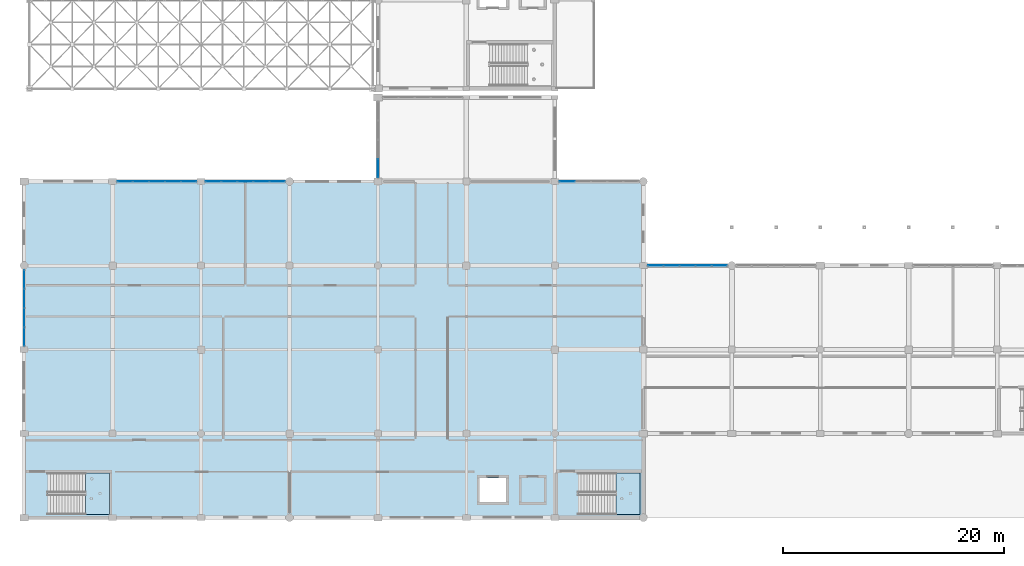
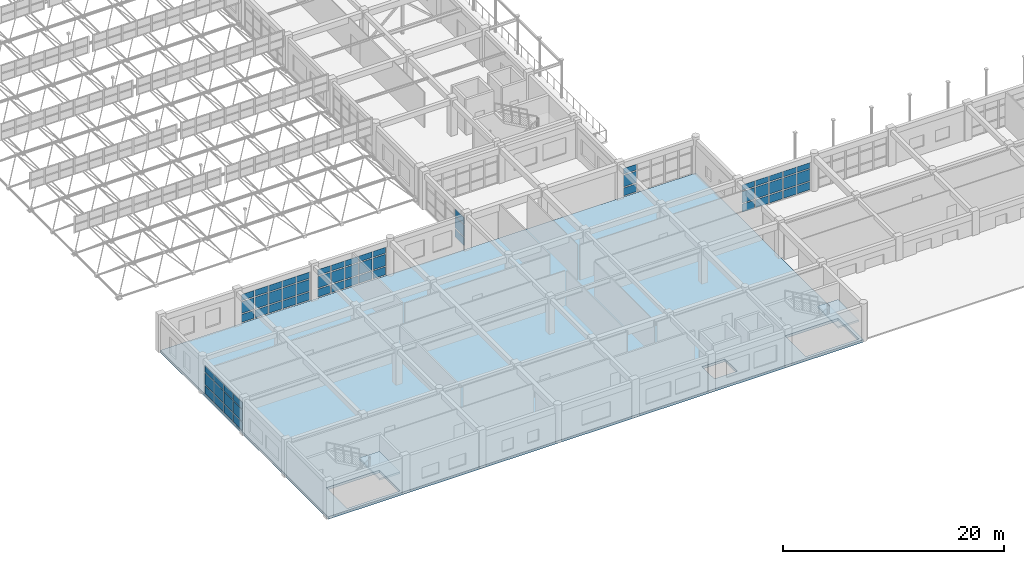
# One storey, part 142 of 195: 63 plates, 3 slabs, 8 elements without a shape of their own.
"""IFC4 building model written with IfcOpenShell, lengths in metres."""

from ifc_helpers import new_model, si_unit, direction, frame, origin, origin_2d, place, context, subcontext, project, spatial, polyline, rectangle, outline, extrude, material, layer, layer_set, type_object, element, aggregate, save


model = new_model("IFC4")

# Units and contexts
model_context = context("Model", 3, precision=1e-05, world=origin(), true_north=direction((0.0, 1.0)))
body_context = subcontext(model_context, "Body", "Model", "MODEL_VIEW")
ifc_project = project(units=[si_unit("LENGTHUNIT", "METRE"), si_unit("AREAUNIT", "SQUARE_METRE"), si_unit("VOLUMEUNIT", "CUBIC_METRE"), si_unit("PLANEANGLEUNIT", "RADIAN"), si_unit("MASSUNIT", "GRAM", prefix="KILO")], contexts=[model_context])

# Site, building, storey
site_placement = place(None, origin())
site = spatial("IfcSite", under=ifc_project, at=site_placement, CompositionType="ELEMENT")
building_placement = place(site_placement, origin())
building = spatial("IfcBuilding", under=site, at=building_placement, Name="Kharva Crest Polytechnic", CompositionType="ELEMENT")
storey_placement = place(building_placement, frame((0.0, 0.0, 9.0)))
storey = spatial("IfcBuildingStorey", under=building, at=storey_placement, Name="L02", CompositionType="ELEMENT", Elevation=9.0)

# Curtain wall, plates
ifc_material_1 = material(Name="Tempered insulated glass", Category="glass")
curtain_wall_type = type_object("IfcCurtainWallType", Name="CW-SYS-COURT", PredefinedType="USERDEFINED", material=ifc_material_1)
curtain_wall_1_placement = place(storey_placement, origin())
curtain_wall_1 = element("IfcCurtainWall", 1, at=curtain_wall_1_placement, inside=storey, type_object=curtain_wall_type, Name="L02 Glazed Curtain Wall CW-085", ObjectType="CURTAIN WALL", PredefinedType="USERDEFINED")
ifc_layer_1 = layer(ifc_material_1, 0.02392578125, Name="Tempered insulated glass")
ifc_layer_set_1 = layer_set([ifc_layer_1], Name="Tempered insulated glass")
plate_type = type_object("IfcPlateType", Name="CWP-GLZ-24", PredefinedType="CURTAIN_PANEL", material=ifc_layer_set_1)
plate_1_placement = place(storey_placement, frame((62.887939453125, 22.800048828125, 0.119873046875), z_axis=(0.0, 0.0, 1.0), x_axis=(-1.0, 0.0, 0.0)))
plate_1 = element("IfcPlate", 2, at=plate_1_placement, type_object=plate_type, Name="CW-085 panel 1.1", PredefinedType="CURTAIN_PANEL", context=body_context, shape_type="SweptSolid", body=[
    extrude(rectangle(XDim=1.333984375, YDim=0.02392578125, at=origin_2d()), origin(), (0.0, 0.0, 1.0), 0.8701171875),
])
plate_2_placement = place(storey_placement, frame((62.887939453125, 22.800048828125, 1.10986328125), z_axis=(0.0, 0.0, 1.0), x_axis=(-1.0, 0.0, 0.0)))
plate_2 = element("IfcPlate", 3, at=plate_2_placement, type_object=plate_type, Name="CW-085 panel 1.2", PredefinedType="CURTAIN_PANEL", context=body_context, shape_type="SweptSolid", body=[
    extrude(rectangle(XDim=1.333984375, YDim=0.02392578125, at=origin_2d()), origin(), (0.0, 0.0, 1.0), 1.280029296875),
])
plate_3_placement = place(storey_placement, frame((62.887939453125, 22.800048828125, 2.509765625), z_axis=(0.0, 0.0, 1.0), x_axis=(-1.0, 0.0, 0.0)))
plate_3 = element("IfcPlate", 4, at=plate_3_placement, type_object=plate_type, Name="CW-085 panel 1.3", PredefinedType="CURTAIN_PANEL", context=body_context, shape_type="SweptSolid", body=[
    extrude(rectangle(XDim=1.333984375, YDim=0.02392578125, at=origin_2d()), origin(), (0.0, 0.0, 1.0), 0.610107421875),
])
plate_4_placement = place(storey_placement, frame((61.4541015625, 22.800048828125, 0.119873046875), z_axis=(0.0, 0.0, 1.0), x_axis=(-1.0, 0.0, 0.0)))
plate_4 = element("IfcPlate", 5, at=plate_4_placement, type_object=plate_type, Name="CW-085 panel 2.1", PredefinedType="CURTAIN_PANEL", context=body_context, shape_type="SweptSolid", body=[
    extrude(rectangle(XDim=1.3740234375, YDim=0.02392578125, at=origin_2d()), origin(), (0.0, 0.0, 1.0), 0.8701171875),
])
plate_5_placement = place(storey_placement, frame((61.4541015625, 22.800048828125, 1.10986328125), z_axis=(0.0, 0.0, 1.0), x_axis=(-1.0, 0.0, 0.0)))
plate_5 = element("IfcPlate", 6, at=plate_5_placement, type_object=plate_type, Name="CW-085 panel 2.2", PredefinedType="CURTAIN_PANEL", context=body_context, shape_type="SweptSolid", body=[
    extrude(rectangle(XDim=1.3740234375, YDim=0.02392578125, at=origin_2d()), origin(), (0.0, 0.0, 1.0), 1.280029296875),
])
plate_6_placement = place(storey_placement, frame((61.4541015625, 22.800048828125, 2.509765625), z_axis=(0.0, 0.0, 1.0), x_axis=(-1.0, 0.0, 0.0)))
plate_6 = element("IfcPlate", 7, at=plate_6_placement, type_object=plate_type, Name="CW-085 panel 2.3", PredefinedType="CURTAIN_PANEL", context=body_context, shape_type="SweptSolid", body=[
    extrude(rectangle(XDim=1.3740234375, YDim=0.02392578125, at=origin_2d()), origin(), (0.0, 0.0, 1.0), 0.610107421875),
])
plate_7_placement = place(storey_placement, frame((60.0, 22.800048828125, 0.119873046875), z_axis=(0.0, 0.0, 1.0), x_axis=(-1.0, 0.0, 0.0)))
plate_7 = element("IfcPlate", 8, at=plate_7_placement, type_object=plate_type, Name="CW-085 panel 3.1", PredefinedType="CURTAIN_PANEL", context=body_context, shape_type="SweptSolid", body=[
    extrude(rectangle(XDim=1.3740234375, YDim=0.02392578125, at=origin_2d()), origin(), (0.0, 0.0, 1.0), 0.8701171875),
])
plate_8_placement = place(storey_placement, frame((60.0, 22.800048828125, 1.10986328125), z_axis=(0.0, 0.0, 1.0), x_axis=(-1.0, 0.0, 0.0)))
plate_8 = element("IfcPlate", 9, at=plate_8_placement, type_object=plate_type, Name="CW-085 panel 3.2", PredefinedType="CURTAIN_PANEL", context=body_context, shape_type="SweptSolid", body=[
    extrude(rectangle(XDim=1.3740234375, YDim=0.02392578125, at=origin_2d()), origin(), (0.0, 0.0, 1.0), 1.280029296875),
])
plate_9_placement = place(storey_placement, frame((60.0, 22.800048828125, 2.509765625), z_axis=(0.0, 0.0, 1.0), x_axis=(-1.0, 0.0, 0.0)))
plate_9 = element("IfcPlate", 10, at=plate_9_placement, type_object=plate_type, Name="CW-085 panel 3.3", PredefinedType="CURTAIN_PANEL", context=body_context, shape_type="SweptSolid", body=[
    extrude(rectangle(XDim=1.3740234375, YDim=0.02392578125, at=origin_2d()), origin(), (0.0, 0.0, 1.0), 0.610107421875),
])
plate_10_placement = place(storey_placement, frame((58.5458984375, 22.800048828125, 0.119873046875), z_axis=(0.0, 0.0, 1.0), x_axis=(-1.0, 0.0, 0.0)))
plate_10 = element("IfcPlate", 11, at=plate_10_placement, type_object=plate_type, Name="CW-085 panel 4.1", PredefinedType="CURTAIN_PANEL", context=body_context, shape_type="SweptSolid", body=[
    extrude(rectangle(XDim=1.3740234375, YDim=0.02392578125, at=origin_2d()), origin(), (0.0, 0.0, 1.0), 0.8701171875),
])
plate_11_placement = place(storey_placement, frame((58.5458984375, 22.800048828125, 1.10986328125), z_axis=(0.0, 0.0, 1.0), x_axis=(-1.0, 0.0, 0.0)))
plate_11 = element("IfcPlate", 12, at=plate_11_placement, type_object=plate_type, Name="CW-085 panel 4.2", PredefinedType="CURTAIN_PANEL", context=body_context, shape_type="SweptSolid", body=[
    extrude(rectangle(XDim=1.3740234375, YDim=0.02392578125, at=origin_2d()), origin(), (0.0, 0.0, 1.0), 1.280029296875),
])
plate_12_placement = place(storey_placement, frame((58.5458984375, 22.800048828125, 2.509765625), z_axis=(0.0, 0.0, 1.0), x_axis=(-1.0, 0.0, 0.0)))
plate_12 = element("IfcPlate", 13, at=plate_12_placement, type_object=plate_type, Name="CW-085 panel 4.3", PredefinedType="CURTAIN_PANEL", context=body_context, shape_type="SweptSolid", body=[
    extrude(rectangle(XDim=1.3740234375, YDim=0.02392578125, at=origin_2d()), origin(), (0.0, 0.0, 1.0), 0.610107421875),
])
plate_13_placement = place(storey_placement, frame((57.112060546875, 22.800048828125, 0.119873046875), z_axis=(0.0, 0.0, 1.0), x_axis=(-1.0, 0.0, 0.0)))
plate_13 = element("IfcPlate", 14, at=plate_13_placement, type_object=plate_type, Name="CW-085 panel 5.1", PredefinedType="CURTAIN_PANEL", context=body_context, shape_type="SweptSolid", body=[
    extrude(rectangle(XDim=1.333984375, YDim=0.02392578125, at=origin_2d()), origin(), (0.0, 0.0, 1.0), 0.8701171875),
])
plate_14_placement = place(storey_placement, frame((57.112060546875, 22.800048828125, 1.10986328125), z_axis=(0.0, 0.0, 1.0), x_axis=(-1.0, 0.0, 0.0)))
plate_14 = element("IfcPlate", 15, at=plate_14_placement, type_object=plate_type, Name="CW-085 panel 5.2", PredefinedType="CURTAIN_PANEL", context=body_context, shape_type="SweptSolid", body=[
    extrude(rectangle(XDim=1.333984375, YDim=0.02392578125, at=origin_2d()), origin(), (0.0, 0.0, 1.0), 1.280029296875),
])
plate_15_placement = place(storey_placement, frame((57.112060546875, 22.800048828125, 2.509765625), z_axis=(0.0, 0.0, 1.0), x_axis=(-1.0, 0.0, 0.0)))
plate_15 = element("IfcPlate", 16, at=plate_15_placement, type_object=plate_type, Name="CW-085 panel 5.3", PredefinedType="CURTAIN_PANEL", context=body_context, shape_type="SweptSolid", body=[
    extrude(rectangle(XDim=1.333984375, YDim=0.02392578125, at=origin_2d()), origin(), (0.0, 0.0, 1.0), 0.610107421875),
])
aggregate(curtain_wall_1, [plate_1, plate_2, plate_3, plate_4, plate_5, plate_6, plate_7, plate_8, plate_9, plate_10, plate_11, plate_12, plate_13, plate_14, plate_15])

curtain_wall_2_placement = place(storey_placement, origin())
curtain_wall_2 = element("IfcCurtainWall", 17, at=curtain_wall_2_placement, inside=storey, type_object=curtain_wall_type, Name="L02 Glazed Curtain Wall CW-086", ObjectType="CURTAIN WALL", PredefinedType="USERDEFINED")
plate_16_placement = place(storey_placement, frame((49.112060546875, 30.39990234375, 0.119873046875), z_axis=(0.0, 0.0, 1.0), x_axis=(-1.0, 0.0, 0.0)))
plate_16 = element("IfcPlate", 18, at=plate_16_placement, type_object=plate_type, Name="CW-086 panel 5.1", PredefinedType="CURTAIN_PANEL", context=body_context, shape_type="SweptSolid", body=[
    extrude(rectangle(XDim=1.333984375, YDim=0.02392578125, at=origin_2d()), origin(), (0.0, 0.0, 1.0), 0.8701171875),
])
plate_17_placement = place(storey_placement, frame((49.112060546875, 30.39990234375, 1.10986328125), z_axis=(0.0, 0.0, 1.0), x_axis=(-1.0, 0.0, 0.0)))
plate_17 = element("IfcPlate", 19, at=plate_17_placement, type_object=plate_type, Name="CW-086 panel 5.2", PredefinedType="CURTAIN_PANEL", context=body_context, shape_type="SweptSolid", body=[
    extrude(rectangle(XDim=1.333984375, YDim=0.02392578125, at=origin_2d()), origin(), (0.0, 0.0, 1.0), 1.280029296875),
])
plate_18_placement = place(storey_placement, frame((49.112060546875, 30.39990234375, 2.51025390625), z_axis=(0.0, 0.0, 1.0), x_axis=(-1.0, 0.0, 0.0)))
plate_18 = element("IfcPlate", 20, at=plate_18_placement, type_object=plate_type, Name="CW-086 panel 5.3", PredefinedType="CURTAIN_PANEL", context=body_context, shape_type="SweptSolid", body=[
    extrude(rectangle(XDim=1.333984375, YDim=0.02392578125, at=origin_2d()), origin(), (0.0, 0.0, 1.0), 0.639892578125),
])
aggregate(curtain_wall_2, [plate_16, plate_17, plate_18])

curtain_wall_3_placement = place(storey_placement, origin())
curtain_wall_3 = element("IfcCurtainWall", 21, at=curtain_wall_3_placement, inside=storey, type_object=curtain_wall_type, Name="L02 Glazed Curtain Wall CW-088", ObjectType="CURTAIN WALL", PredefinedType="USERDEFINED")
plate_19_placement = place(storey_placement, frame((32.0, 31.595703125, 0.119873046875), z_axis=(0.0, 0.0, 1.0), x_axis=(0.0, -1.0, 0.0)))
plate_19 = element("IfcPlate", 22, at=plate_19_placement, type_object=plate_type, Name="CW-088 panel 4.1", PredefinedType="CURTAIN_PANEL", context=body_context, shape_type="SweptSolid", body=[
    extrude(rectangle(XDim=1.621337890625, YDim=0.02392578125, at=origin_2d()), origin(), (0.0, 0.0, 1.0), 0.8701171875),
])
plate_20_placement = place(storey_placement, frame((32.0, 31.595703125, 1.10986328125), z_axis=(0.0, 0.0, 1.0), x_axis=(0.0, -1.0, 0.0)))
plate_20 = element("IfcPlate", 23, at=plate_20_placement, type_object=plate_type, Name="CW-088 panel 4.2", PredefinedType="CURTAIN_PANEL", context=body_context, shape_type="SweptSolid", body=[
    extrude(rectangle(XDim=1.621337890625, YDim=0.02392578125, at=origin_2d()), origin(), (0.0, 0.0, 1.0), 1.280029296875),
])
plate_21_placement = place(storey_placement, frame((32.0, 31.595703125, 2.510009765625), z_axis=(0.0, 0.0, 1.0), x_axis=(0.0, -1.0, 0.0)))
plate_21 = element("IfcPlate", 24, at=plate_21_placement, type_object=plate_type, Name="CW-088 panel 4.3", PredefinedType="CURTAIN_PANEL", context=body_context, shape_type="SweptSolid", body=[
    extrude(rectangle(XDim=1.621337890625, YDim=0.02392578125, at=origin_2d()), origin(), (0.0, 0.0, 1.0), 0.7099609375),
])
aggregate(curtain_wall_3, [plate_19, plate_20, plate_21])

curtain_wall_4_placement = place(storey_placement, origin())
curtain_wall_4 = element("IfcCurtainWall", 25, at=curtain_wall_4_placement, inside=storey, type_object=curtain_wall_type, Name="L02 Glazed Curtain Wall CW-089", ObjectType="CURTAIN WALL", PredefinedType="USERDEFINED")
plate_22_placement = place(storey_placement, frame((22.887939453125, 30.39990234375, 0.119873046875), z_axis=(0.0, 0.0, 1.0), x_axis=(-1.0, 0.0, 0.0)))
plate_22 = element("IfcPlate", 26, at=plate_22_placement, type_object=plate_type, Name="CW-089 panel 1.1", PredefinedType="CURTAIN_PANEL", context=body_context, shape_type="SweptSolid", body=[
    extrude(rectangle(XDim=1.333984375, YDim=0.02392578125, at=origin_2d()), origin(), (0.0, 0.0, 1.0), 0.8701171875),
])
plate_23_placement = place(storey_placement, frame((22.887939453125, 30.39990234375, 1.10986328125), z_axis=(0.0, 0.0, 1.0), x_axis=(-1.0, 0.0, 0.0)))
plate_23 = element("IfcPlate", 27, at=plate_23_placement, type_object=plate_type, Name="CW-089 panel 1.2", PredefinedType="CURTAIN_PANEL", context=body_context, shape_type="SweptSolid", body=[
    extrude(rectangle(XDim=1.333984375, YDim=0.02392578125, at=origin_2d()), origin(), (0.0, 0.0, 1.0), 1.280029296875),
])
plate_24_placement = place(storey_placement, frame((22.887939453125, 30.39990234375, 2.51025390625), z_axis=(0.0, 0.0, 1.0), x_axis=(-1.0, 0.0, 0.0)))
plate_24 = element("IfcPlate", 28, at=plate_24_placement, type_object=plate_type, Name="CW-089 panel 1.3", PredefinedType="CURTAIN_PANEL", context=body_context, shape_type="SweptSolid", body=[
    extrude(rectangle(XDim=1.333984375, YDim=0.02392578125, at=origin_2d()), origin(), (0.0, 0.0, 1.0), 0.639892578125),
])
plate_25_placement = place(storey_placement, frame((21.4541015625, 30.39990234375, 0.119873046875), z_axis=(0.0, 0.0, 1.0), x_axis=(-1.0, 0.0, 0.0)))
plate_25 = element("IfcPlate", 29, at=plate_25_placement, type_object=plate_type, Name="CW-089 panel 2.1", PredefinedType="CURTAIN_PANEL", context=body_context, shape_type="SweptSolid", body=[
    extrude(rectangle(XDim=1.3740234375, YDim=0.02392578125, at=origin_2d()), origin(), (0.0, 0.0, 1.0), 0.8701171875),
])
plate_26_placement = place(storey_placement, frame((21.4541015625, 30.39990234375, 1.10986328125), z_axis=(0.0, 0.0, 1.0), x_axis=(-1.0, 0.0, 0.0)))
plate_26 = element("IfcPlate", 30, at=plate_26_placement, type_object=plate_type, Name="CW-089 panel 2.2", PredefinedType="CURTAIN_PANEL", context=body_context, shape_type="SweptSolid", body=[
    extrude(rectangle(XDim=1.3740234375, YDim=0.02392578125, at=origin_2d()), origin(), (0.0, 0.0, 1.0), 1.280029296875),
])
plate_27_placement = place(storey_placement, frame((21.4541015625, 30.39990234375, 2.51025390625), z_axis=(0.0, 0.0, 1.0), x_axis=(-1.0, 0.0, 0.0)))
plate_27 = element("IfcPlate", 31, at=plate_27_placement, type_object=plate_type, Name="CW-089 panel 2.3", PredefinedType="CURTAIN_PANEL", context=body_context, shape_type="SweptSolid", body=[
    extrude(rectangle(XDim=1.3740234375, YDim=0.02392578125, at=origin_2d()), origin(), (0.0, 0.0, 1.0), 0.639892578125),
])
plate_28_placement = place(storey_placement, frame((20.0, 30.39990234375, 0.119873046875), z_axis=(0.0, 0.0, 1.0), x_axis=(-1.0, 0.0, 0.0)))
plate_28 = element("IfcPlate", 32, at=plate_28_placement, type_object=plate_type, Name="CW-089 panel 3.1", PredefinedType="CURTAIN_PANEL", context=body_context, shape_type="SweptSolid", body=[
    extrude(rectangle(XDim=1.3740234375, YDim=0.02392578125, at=origin_2d()), origin(), (0.0, 0.0, 1.0), 0.8701171875),
])
plate_29_placement = place(storey_placement, frame((20.0, 30.39990234375, 1.10986328125), z_axis=(0.0, 0.0, 1.0), x_axis=(-1.0, 0.0, 0.0)))
plate_29 = element("IfcPlate", 33, at=plate_29_placement, type_object=plate_type, Name="CW-089 panel 3.2", PredefinedType="CURTAIN_PANEL", context=body_context, shape_type="SweptSolid", body=[
    extrude(rectangle(XDim=1.3740234375, YDim=0.02392578125, at=origin_2d()), origin(), (0.0, 0.0, 1.0), 1.280029296875),
])
plate_30_placement = place(storey_placement, frame((20.0, 30.39990234375, 2.51025390625), z_axis=(0.0, 0.0, 1.0), x_axis=(-1.0, 0.0, 0.0)))
plate_30 = element("IfcPlate", 34, at=plate_30_placement, type_object=plate_type, Name="CW-089 panel 3.3", PredefinedType="CURTAIN_PANEL", context=body_context, shape_type="SweptSolid", body=[
    extrude(rectangle(XDim=1.3740234375, YDim=0.02392578125, at=origin_2d()), origin(), (0.0, 0.0, 1.0), 0.639892578125),
])
plate_31_placement = place(storey_placement, frame((18.5458984375, 30.39990234375, 0.119873046875), z_axis=(0.0, 0.0, 1.0), x_axis=(-1.0, 0.0, 0.0)))
plate_31 = element("IfcPlate", 35, at=plate_31_placement, type_object=plate_type, Name="CW-089 panel 4.1", PredefinedType="CURTAIN_PANEL", context=body_context, shape_type="SweptSolid", body=[
    extrude(rectangle(XDim=1.3740234375, YDim=0.02392578125, at=origin_2d()), origin(), (0.0, 0.0, 1.0), 0.8701171875),
])
plate_32_placement = place(storey_placement, frame((18.5458984375, 30.39990234375, 1.10986328125), z_axis=(0.0, 0.0, 1.0), x_axis=(-1.0, 0.0, 0.0)))
plate_32 = element("IfcPlate", 36, at=plate_32_placement, type_object=plate_type, Name="CW-089 panel 4.2", PredefinedType="CURTAIN_PANEL", context=body_context, shape_type="SweptSolid", body=[
    extrude(rectangle(XDim=1.3740234375, YDim=0.02392578125, at=origin_2d()), origin(), (0.0, 0.0, 1.0), 1.280029296875),
])
plate_33_placement = place(storey_placement, frame((18.5458984375, 30.39990234375, 2.51025390625), z_axis=(0.0, 0.0, 1.0), x_axis=(-1.0, 0.0, 0.0)))
plate_33 = element("IfcPlate", 37, at=plate_33_placement, type_object=plate_type, Name="CW-089 panel 4.3", PredefinedType="CURTAIN_PANEL", context=body_context, shape_type="SweptSolid", body=[
    extrude(rectangle(XDim=1.3740234375, YDim=0.02392578125, at=origin_2d()), origin(), (0.0, 0.0, 1.0), 0.639892578125),
])
plate_34_placement = place(storey_placement, frame((17.112060546875, 30.39990234375, 0.119873046875), z_axis=(0.0, 0.0, 1.0), x_axis=(-1.0, 0.0, 0.0)))
plate_34 = element("IfcPlate", 38, at=plate_34_placement, type_object=plate_type, Name="CW-089 panel 5.1", PredefinedType="CURTAIN_PANEL", context=body_context, shape_type="SweptSolid", body=[
    extrude(rectangle(XDim=1.333984375, YDim=0.02392578125, at=origin_2d()), origin(), (0.0, 0.0, 1.0), 0.8701171875),
])
plate_35_placement = place(storey_placement, frame((17.112060546875, 30.39990234375, 1.10986328125), z_axis=(0.0, 0.0, 1.0), x_axis=(-1.0, 0.0, 0.0)))
plate_35 = element("IfcPlate", 39, at=plate_35_placement, type_object=plate_type, Name="CW-089 panel 5.2", PredefinedType="CURTAIN_PANEL", context=body_context, shape_type="SweptSolid", body=[
    extrude(rectangle(XDim=1.333984375, YDim=0.02392578125, at=origin_2d()), origin(), (0.0, 0.0, 1.0), 1.280029296875),
])
plate_36_placement = place(storey_placement, frame((17.112060546875, 30.39990234375, 2.51025390625), z_axis=(0.0, 0.0, 1.0), x_axis=(-1.0, 0.0, 0.0)))
plate_36 = element("IfcPlate", 40, at=plate_36_placement, type_object=plate_type, Name="CW-089 panel 5.3", PredefinedType="CURTAIN_PANEL", context=body_context, shape_type="SweptSolid", body=[
    extrude(rectangle(XDim=1.333984375, YDim=0.02392578125, at=origin_2d()), origin(), (0.0, 0.0, 1.0), 0.639892578125),
])
aggregate(curtain_wall_4, [plate_22, plate_23, plate_24, plate_25, plate_26, plate_27, plate_28, plate_29, plate_30, plate_31, plate_32, plate_33, plate_34, plate_35, plate_36])

curtain_wall_5_placement = place(storey_placement, origin())
curtain_wall_5 = element("IfcCurtainWall", 41, at=curtain_wall_5_placement, inside=storey, type_object=curtain_wall_type, Name="L02 Glazed Curtain Wall CW-090", ObjectType="CURTAIN WALL", PredefinedType="USERDEFINED")
plate_37_placement = place(storey_placement, frame((14.889404296875, 30.39990234375, 0.119873046875), z_axis=(0.0, 0.0, 1.0), x_axis=(-1.0, 0.0, 0.0)))
plate_37 = element("IfcPlate", 42, at=plate_37_placement, type_object=plate_type, Name="CW-090 panel 1.1", PredefinedType="CURTAIN_PANEL", context=body_context, shape_type="SweptSolid", body=[
    extrude(rectangle(XDim=1.3310546875, YDim=0.02392578125, at=origin_2d()), origin(), (0.0, 0.0, 1.0), 0.8701171875),
])
plate_38_placement = place(storey_placement, frame((14.889404296875, 30.39990234375, 1.10986328125), z_axis=(0.0, 0.0, 1.0), x_axis=(-1.0, 0.0, 0.0)))
plate_38 = element("IfcPlate", 43, at=plate_38_placement, type_object=plate_type, Name="CW-090 panel 1.2", PredefinedType="CURTAIN_PANEL", context=body_context, shape_type="SweptSolid", body=[
    extrude(rectangle(XDim=1.3310546875, YDim=0.02392578125, at=origin_2d()), origin(), (0.0, 0.0, 1.0), 1.280029296875),
])
plate_39_placement = place(storey_placement, frame((14.889404296875, 30.39990234375, 2.510009765625), z_axis=(0.0, 0.0, 1.0), x_axis=(-1.0, 0.0, 0.0)))
plate_39 = element("IfcPlate", 44, at=plate_39_placement, type_object=plate_type, Name="CW-090 panel 1.3", PredefinedType="CURTAIN_PANEL", context=body_context, shape_type="SweptSolid", body=[
    extrude(rectangle(XDim=1.3310546875, YDim=0.02392578125, at=origin_2d()), origin(), (0.0, 0.0, 1.0), 0.68994140625),
])
plate_40_placement = place(storey_placement, frame((13.45849609375, 30.39990234375, 0.119873046875), z_axis=(0.0, 0.0, 1.0), x_axis=(-1.0, 0.0, 0.0)))
plate_40 = element("IfcPlate", 45, at=plate_40_placement, type_object=plate_type, Name="CW-090 panel 2.1", PredefinedType="CURTAIN_PANEL", context=body_context, shape_type="SweptSolid", body=[
    extrude(rectangle(XDim=1.37109375, YDim=0.02392578125, at=origin_2d()), origin(), (0.0, 0.0, 1.0), 0.8701171875),
])
plate_41_placement = place(storey_placement, frame((13.45849609375, 30.39990234375, 1.10986328125), z_axis=(0.0, 0.0, 1.0), x_axis=(-1.0, 0.0, 0.0)))
plate_41 = element("IfcPlate", 46, at=plate_41_placement, type_object=plate_type, Name="CW-090 panel 2.2", PredefinedType="CURTAIN_PANEL", context=body_context, shape_type="SweptSolid", body=[
    extrude(rectangle(XDim=1.37109375, YDim=0.02392578125, at=origin_2d()), origin(), (0.0, 0.0, 1.0), 1.280029296875),
])
plate_42_placement = place(storey_placement, frame((13.45849609375, 30.39990234375, 2.510009765625), z_axis=(0.0, 0.0, 1.0), x_axis=(-1.0, 0.0, 0.0)))
plate_42 = element("IfcPlate", 47, at=plate_42_placement, type_object=plate_type, Name="CW-090 panel 2.3", PredefinedType="CURTAIN_PANEL", context=body_context, shape_type="SweptSolid", body=[
    extrude(rectangle(XDim=1.37109375, YDim=0.02392578125, at=origin_2d()), origin(), (0.0, 0.0, 1.0), 0.68994140625),
])
plate_43_placement = place(storey_placement, frame((12.007568359375, 30.39990234375, 0.119873046875), z_axis=(0.0, 0.0, 1.0), x_axis=(-1.0, 0.0, 0.0)))
plate_43 = element("IfcPlate", 48, at=plate_43_placement, type_object=plate_type, Name="CW-090 panel 3.1", PredefinedType="CURTAIN_PANEL", context=body_context, shape_type="SweptSolid", body=[
    extrude(rectangle(XDim=1.37109375, YDim=0.02392578125, at=origin_2d()), origin(), (0.0, 0.0, 1.0), 0.8701171875),
])
plate_44_placement = place(storey_placement, frame((12.007568359375, 30.39990234375, 1.10986328125), z_axis=(0.0, 0.0, 1.0), x_axis=(-1.0, 0.0, 0.0)))
plate_44 = element("IfcPlate", 49, at=plate_44_placement, type_object=plate_type, Name="CW-090 panel 3.2", PredefinedType="CURTAIN_PANEL", context=body_context, shape_type="SweptSolid", body=[
    extrude(rectangle(XDim=1.37109375, YDim=0.02392578125, at=origin_2d()), origin(), (0.0, 0.0, 1.0), 1.280029296875),
])
plate_45_placement = place(storey_placement, frame((12.007568359375, 30.39990234375, 2.510009765625), z_axis=(0.0, 0.0, 1.0), x_axis=(-1.0, 0.0, 0.0)))
plate_45 = element("IfcPlate", 50, at=plate_45_placement, type_object=plate_type, Name="CW-090 panel 3.3", PredefinedType="CURTAIN_PANEL", context=body_context, shape_type="SweptSolid", body=[
    extrude(rectangle(XDim=1.37109375, YDim=0.02392578125, at=origin_2d()), origin(), (0.0, 0.0, 1.0), 0.68994140625),
])
plate_46_placement = place(storey_placement, frame((10.556396484375, 30.39990234375, 0.119873046875), z_axis=(0.0, 0.0, 1.0), x_axis=(-1.0, 0.0, 0.0)))
plate_46 = element("IfcPlate", 51, at=plate_46_placement, type_object=plate_type, Name="CW-090 panel 4.1", PredefinedType="CURTAIN_PANEL", context=body_context, shape_type="SweptSolid", body=[
    extrude(rectangle(XDim=1.37109375, YDim=0.02392578125, at=origin_2d()), origin(), (0.0, 0.0, 1.0), 0.8701171875),
])
plate_47_placement = place(storey_placement, frame((10.556396484375, 30.39990234375, 1.10986328125), z_axis=(0.0, 0.0, 1.0), x_axis=(-1.0, 0.0, 0.0)))
plate_47 = element("IfcPlate", 52, at=plate_47_placement, type_object=plate_type, Name="CW-090 panel 4.2", PredefinedType="CURTAIN_PANEL", context=body_context, shape_type="SweptSolid", body=[
    extrude(rectangle(XDim=1.37109375, YDim=0.02392578125, at=origin_2d()), origin(), (0.0, 0.0, 1.0), 1.280029296875),
])
plate_48_placement = place(storey_placement, frame((10.556396484375, 30.39990234375, 2.510009765625), z_axis=(0.0, 0.0, 1.0), x_axis=(-1.0, 0.0, 0.0)))
plate_48 = element("IfcPlate", 53, at=plate_48_placement, type_object=plate_type, Name="CW-090 panel 4.3", PredefinedType="CURTAIN_PANEL", context=body_context, shape_type="SweptSolid", body=[
    extrude(rectangle(XDim=1.37109375, YDim=0.02392578125, at=origin_2d()), origin(), (0.0, 0.0, 1.0), 0.68994140625),
])
plate_49_placement = place(storey_placement, frame((9.12548828125, 30.39990234375, 0.119873046875), z_axis=(0.0, 0.0, 1.0), x_axis=(-1.0, 0.0, 0.0)))
plate_49 = element("IfcPlate", 54, at=plate_49_placement, type_object=plate_type, Name="CW-090 panel 5.1", PredefinedType="CURTAIN_PANEL", context=body_context, shape_type="SweptSolid", body=[
    extrude(rectangle(XDim=1.3310546875, YDim=0.02392578125, at=origin_2d()), origin(), (0.0, 0.0, 1.0), 0.8701171875),
])
plate_50_placement = place(storey_placement, frame((9.12548828125, 30.39990234375, 1.10986328125), z_axis=(0.0, 0.0, 1.0), x_axis=(-1.0, 0.0, 0.0)))
plate_50 = element("IfcPlate", 55, at=plate_50_placement, type_object=plate_type, Name="CW-090 panel 5.2", PredefinedType="CURTAIN_PANEL", context=body_context, shape_type="SweptSolid", body=[
    extrude(rectangle(XDim=1.3310546875, YDim=0.02392578125, at=origin_2d()), origin(), (0.0, 0.0, 1.0), 1.280029296875),
])
plate_51_placement = place(storey_placement, frame((9.12548828125, 30.39990234375, 2.510009765625), z_axis=(0.0, 0.0, 1.0), x_axis=(-1.0, 0.0, 0.0)))
plate_51 = element("IfcPlate", 56, at=plate_51_placement, type_object=plate_type, Name="CW-090 panel 5.3", PredefinedType="CURTAIN_PANEL", context=body_context, shape_type="SweptSolid", body=[
    extrude(rectangle(XDim=1.3310546875, YDim=0.02392578125, at=origin_2d()), origin(), (0.0, 0.0, 1.0), 0.68994140625),
])
aggregate(curtain_wall_5, [plate_37, plate_38, plate_39, plate_40, plate_41, plate_42, plate_43, plate_44, plate_45, plate_46, plate_47, plate_48, plate_49, plate_50, plate_51])

curtain_wall_6_placement = place(storey_placement, origin())
curtain_wall_6 = element("IfcCurtainWall", 57, at=curtain_wall_6_placement, inside=storey, type_object=curtain_wall_type, Name="L02 Glazed Curtain Wall CW-091", ObjectType="CURTAIN WALL", PredefinedType="USERDEFINED")
plate_52_placement = place(storey_placement, frame((0.0, 21.545654296875, 0.119873046875), z_axis=(0.0, 0.0, 1.0), x_axis=(0.0, -1.0, 0.0)))
plate_52 = element("IfcPlate", 58, at=plate_52_placement, type_object=plate_type, Name="CW-091 panel 1.1", PredefinedType="CURTAIN_PANEL", context=body_context, shape_type="SweptSolid", body=[
    extrude(rectangle(XDim=1.61865234375, YDim=0.02392578125, at=origin_2d()), origin(), (0.0, 0.0, 1.0), 0.8701171875),
])
plate_53_placement = place(storey_placement, frame((0.0, 21.545654296875, 1.10986328125), z_axis=(0.0, 0.0, 1.0), x_axis=(0.0, -1.0, 0.0)))
plate_53 = element("IfcPlate", 59, at=plate_53_placement, type_object=plate_type, Name="CW-091 panel 1.2", PredefinedType="CURTAIN_PANEL", context=body_context, shape_type="SweptSolid", body=[
    extrude(rectangle(XDim=1.61865234375, YDim=0.02392578125, at=origin_2d()), origin(), (0.0, 0.0, 1.0), 1.280029296875),
])
plate_54_placement = place(storey_placement, frame((0.0, 21.545654296875, 2.510009765625), z_axis=(0.0, 0.0, 1.0), x_axis=(0.0, -1.0, 0.0)))
plate_54 = element("IfcPlate", 60, at=plate_54_placement, type_object=plate_type, Name="CW-091 panel 1.3", PredefinedType="CURTAIN_PANEL", context=body_context, shape_type="SweptSolid", body=[
    extrude(rectangle(XDim=1.61865234375, YDim=0.02392578125, at=origin_2d()), origin(), (0.0, 0.0, 1.0), 0.7099609375),
])
plate_55_placement = place(storey_placement, frame((0.0, 19.826904296875, 0.119873046875), z_axis=(0.0, 0.0, 1.0), x_axis=(0.0, -1.0, 0.0)))
plate_55 = element("IfcPlate", 61, at=plate_55_placement, type_object=plate_type, Name="CW-091 panel 2.1", PredefinedType="CURTAIN_PANEL", context=body_context, shape_type="SweptSolid", body=[
    extrude(rectangle(XDim=1.65869140625, YDim=0.02392578125, at=origin_2d()), origin(), (0.0, 0.0, 1.0), 0.8701171875),
])
plate_56_placement = place(storey_placement, frame((0.0, 19.826904296875, 1.10986328125), z_axis=(0.0, 0.0, 1.0), x_axis=(0.0, -1.0, 0.0)))
plate_56 = element("IfcPlate", 62, at=plate_56_placement, type_object=plate_type, Name="CW-091 panel 2.2", PredefinedType="CURTAIN_PANEL", context=body_context, shape_type="SweptSolid", body=[
    extrude(rectangle(XDim=1.65869140625, YDim=0.02392578125, at=origin_2d()), origin(), (0.0, 0.0, 1.0), 1.280029296875),
])
plate_57_placement = place(storey_placement, frame((0.0, 19.826904296875, 2.510009765625), z_axis=(0.0, 0.0, 1.0), x_axis=(0.0, -1.0, 0.0)))
plate_57 = element("IfcPlate", 63, at=plate_57_placement, type_object=plate_type, Name="CW-091 panel 2.3", PredefinedType="CURTAIN_PANEL", context=body_context, shape_type="SweptSolid", body=[
    extrude(rectangle(XDim=1.65869140625, YDim=0.02392578125, at=origin_2d()), origin(), (0.0, 0.0, 1.0), 0.7099609375),
])
plate_58_placement = place(storey_placement, frame((0.0, 18.088134765625, 0.119873046875), z_axis=(0.0, 0.0, 1.0), x_axis=(0.0, -1.0, 0.0)))
plate_58 = element("IfcPlate", 64, at=plate_58_placement, type_object=plate_type, Name="CW-091 panel 3.1", PredefinedType="CURTAIN_PANEL", context=body_context, shape_type="SweptSolid", body=[
    extrude(rectangle(XDim=1.65869140625, YDim=0.02392578125, at=origin_2d()), origin(), (0.0, 0.0, 1.0), 0.8701171875),
])
plate_59_placement = place(storey_placement, frame((0.0, 18.088134765625, 1.10986328125), z_axis=(0.0, 0.0, 1.0), x_axis=(0.0, -1.0, 0.0)))
plate_59 = element("IfcPlate", 65, at=plate_59_placement, type_object=plate_type, Name="CW-091 panel 3.2", PredefinedType="CURTAIN_PANEL", context=body_context, shape_type="SweptSolid", body=[
    extrude(rectangle(XDim=1.65869140625, YDim=0.02392578125, at=origin_2d()), origin(), (0.0, 0.0, 1.0), 1.280029296875),
])
plate_60_placement = place(storey_placement, frame((0.0, 18.088134765625, 2.510009765625), z_axis=(0.0, 0.0, 1.0), x_axis=(0.0, -1.0, 0.0)))
plate_60 = element("IfcPlate", 66, at=plate_60_placement, type_object=plate_type, Name="CW-091 panel 3.3", PredefinedType="CURTAIN_PANEL", context=body_context, shape_type="SweptSolid", body=[
    extrude(rectangle(XDim=1.65869140625, YDim=0.02392578125, at=origin_2d()), origin(), (0.0, 0.0, 1.0), 0.7099609375),
])
plate_61_placement = place(storey_placement, frame((0.0, 16.369384765625, 0.119873046875), z_axis=(0.0, 0.0, 1.0), x_axis=(0.0, -1.0, 0.0)))
plate_61 = element("IfcPlate", 67, at=plate_61_placement, type_object=plate_type, Name="CW-091 panel 4.1", PredefinedType="CURTAIN_PANEL", context=body_context, shape_type="SweptSolid", body=[
    extrude(rectangle(XDim=1.61865234375, YDim=0.02392578125, at=origin_2d()), origin(), (0.0, 0.0, 1.0), 0.8701171875),
])
plate_62_placement = place(storey_placement, frame((0.0, 16.369384765625, 1.10986328125), z_axis=(0.0, 0.0, 1.0), x_axis=(0.0, -1.0, 0.0)))
plate_62 = element("IfcPlate", 68, at=plate_62_placement, type_object=plate_type, Name="CW-091 panel 4.2", PredefinedType="CURTAIN_PANEL", context=body_context, shape_type="SweptSolid", body=[
    extrude(rectangle(XDim=1.61865234375, YDim=0.02392578125, at=origin_2d()), origin(), (0.0, 0.0, 1.0), 1.280029296875),
])
plate_63_placement = place(storey_placement, frame((0.0, 16.369384765625, 2.510009765625), z_axis=(0.0, 0.0, 1.0), x_axis=(0.0, -1.0, 0.0)))
plate_63 = element("IfcPlate", 69, at=plate_63_placement, type_object=plate_type, Name="CW-091 panel 4.3", PredefinedType="CURTAIN_PANEL", context=body_context, shape_type="SweptSolid", body=[
    extrude(rectangle(XDim=1.61865234375, YDim=0.02392578125, at=origin_2d()), origin(), (0.0, 0.0, 1.0), 0.7099609375),
])
aggregate(curtain_wall_6, [plate_52, plate_53, plate_54, plate_55, plate_56, plate_57, plate_58, plate_59, plate_60, plate_61, plate_62, plate_63])

# Slab
ifc_material_2 = material(Name="Concrete C35/45", Category="concrete")
ifc_layer_2 = layer(ifc_material_2, 0.280029296875, Name="Concrete C35/45")
ifc_layer_set_2 = layer_set([ifc_layer_2], Name="Concrete C35/45")
slab_type_1 = type_object("IfcSlabType", Name="SLB-FLR-280", PredefinedType="FLOOR", material=ifc_layer_set_2)
slab_1_placement = place(storey_placement, frame((0.0, 0.0, -0.280029296875)))
element("IfcSlab", 70, at=slab_1_placement, inside=storey, type_object=slab_type_1, Name="L02 Structural Slab SW_LECT", PredefinedType="FLOOR", context=body_context, shape_type="SweptSolid", body=[
    extrude(outline(polyline([(0.0, 0.0), (56.0, 0.0), (56.0, 30.39990234375), (0.0, 30.39990234375), (0.0, 0.0)]), holes=[polyline([(50.1298828125, 0.300048828125), (55.699951171875, 0.300048828125), (55.699951171875, 4.06005859375), (50.1298828125, 4.06005859375), (50.1298828125, 0.300048828125)]), polyline([(41.199951171875, 1.39990234375), (43.60009765625, 1.39990234375), (43.60009765625, 3.60009765625), (41.199951171875, 3.60009765625), (41.199951171875, 1.39990234375)]), polyline([(2.14990234375, 0.300048828125), (7.699951171875, 0.300048828125), (7.699951171875, 4.06005859375), (2.14990234375, 4.06005859375), (2.14990234375, 0.300048828125)])]), origin(), (0.0, 0.0, 1.0), 0.280029296875),
])

# Stair, slab
stair_type_1 = type_object("IfcStairType", Name="STR-DOGLEG-1780", PredefinedType="TWO_STRAIGHT_RUN_STAIR", material=ifc_material_2)
stair_1_placement = place(storey_placement, origin())
stair_1 = element("IfcStair", 71, at=stair_1_placement, inside=storey, type_object=stair_type_1, Name="L02 South-West Lecture Core C1", PredefinedType="TWO_STRAIGHT_RUN_STAIR")
ifc_layer_3 = layer(ifc_material_2, 0.199951171875, Name="Concrete C35/45")
ifc_layer_set_3 = layer_set([ifc_layer_3], Name="Concrete C35/45")
slab_type_2 = type_object("IfcSlabType", Name="SLB-LAND-200", PredefinedType="LANDING", material=ifc_layer_set_3)
slab_2_placement = place(storey_placement, frame((0.0, 0.0, 1.89990234375)))
slab_2 = element("IfcSlab", 72, at=slab_2_placement, type_object=slab_type_2, Name="ST-01 landing 1", PredefinedType="LANDING", context=body_context, shape_type="SweptSolid", body=[
    extrude(outline(polyline([(53.534912109375, 0.300048828125), (55.699951171875, 0.300048828125), (55.699951171875, 4.06005859375), (53.534912109375, 4.06005859375), (53.534912109375, 0.300048828125)])), origin(), (0.0, 0.0, 1.0), 0.2001953125),
])
aggregate(stair_1, [slab_2])

stair_type_2 = type_object("IfcStairType", Name="STR-DOGLEG-1800", PredefinedType="TWO_STRAIGHT_RUN_STAIR", material=ifc_material_2)
stair_2_placement = place(storey_placement, origin())
stair_2 = element("IfcStair", 73, at=stair_2_placement, inside=storey, type_object=stair_type_2, Name="L02 West Lecture Wing Stair C10", PredefinedType="TWO_STRAIGHT_RUN_STAIR")
slab_3_placement = place(storey_placement, frame((0.0, 0.0, 1.89990234375)))
slab_3 = element("IfcSlab", 74, at=slab_3_placement, type_object=slab_type_2, Name="ST-10 landing 1", PredefinedType="LANDING", context=body_context, shape_type="SweptSolid", body=[
    extrude(outline(polyline([(5.554931640625, 0.300048828125), (7.699951171875, 0.300048828125), (7.699951171875, 4.06005859375), (5.554931640625, 4.06005859375), (5.554931640625, 0.300048828125)])), origin(), (0.0, 0.0, 1.0), 0.2001953125),
])
aggregate(stair_2, [slab_3])

save(model, "model.ifc")
